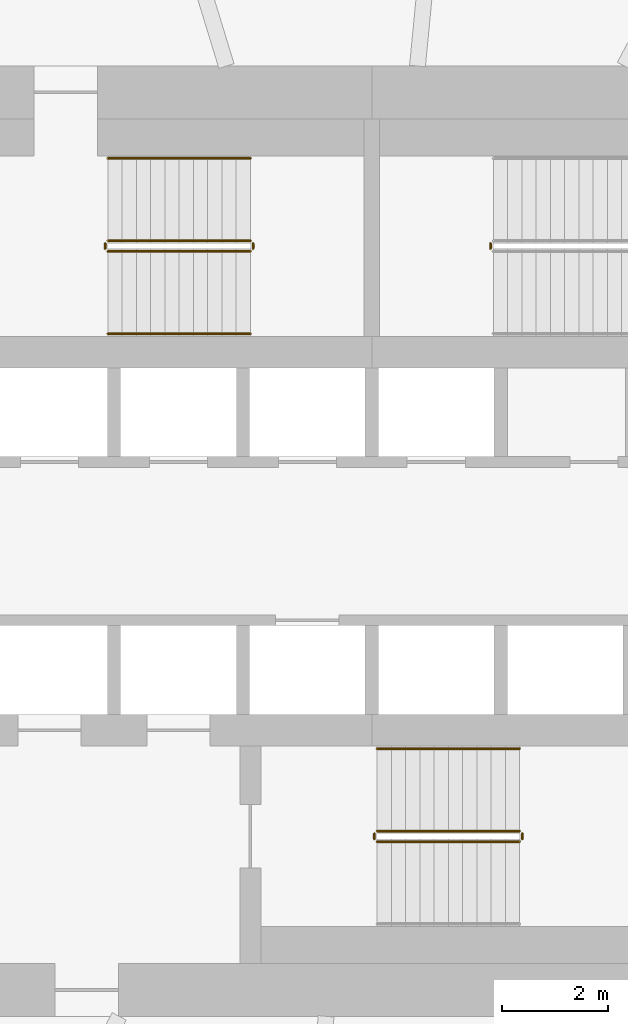
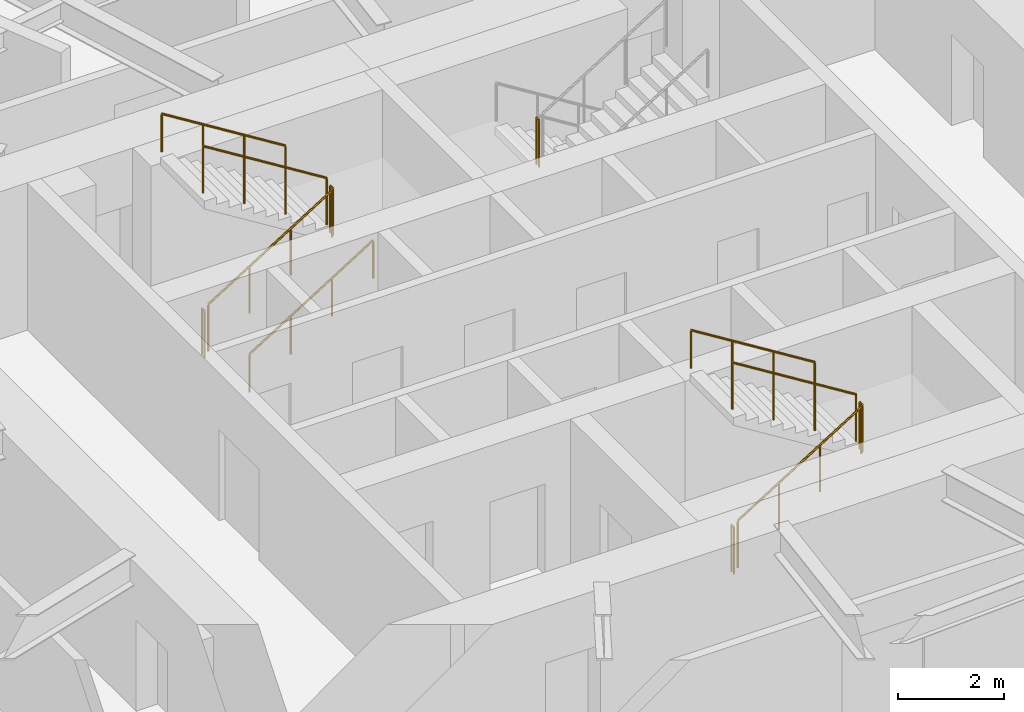
# One storey, part 13 of 17: 12 railings.
"""IFC4 building model written with IfcOpenShell, lengths in metres."""

from ifc_helpers import new_model, si_unit, direction, frame, origin, origin_2d, place, context, subcontext, project, spatial, circle, extrude, material, type_object, element, save


model = new_model("IFC4")

# Units and contexts
model_context = context("Model", 3, precision=1e-05, world=origin(), true_north=direction((0.0, 1.0)))
body_context = subcontext(model_context, "Body", "Model", "MODEL_VIEW")
ifc_project = project(units=[si_unit("LENGTHUNIT", "METRE"), si_unit("AREAUNIT", "SQUARE_METRE"), si_unit("VOLUMEUNIT", "CUBIC_METRE"), si_unit("PLANEANGLEUNIT", "RADIAN"), si_unit("MASSUNIT", "GRAM", prefix="KILO")], contexts=[model_context])

# Site, building, storey
site_placement = place(None, origin())
site = spatial("IfcSite", under=ifc_project, at=site_placement, CompositionType="ELEMENT")
building_placement = place(site_placement, origin())
building = spatial("IfcBuilding", under=site, at=building_placement, Name="Vermilion Reach Broadcast Tower", CompositionType="ELEMENT")
storey_placement = place(building_placement, frame((0.0, 0.0, 54.5)))
storey = spatial("IfcBuildingStorey", under=building, at=storey_placement, Name="L10", CompositionType="ELEMENT", Elevation=54.5)

# Railings
ifc_material_1 = material(Name="Stainless steel", Category="steel")
railing_type_1 = type_object("IfcRailingType", Name="Stair guard 1100", PredefinedType="GUARDRAIL", material=ifc_material_1)
railing_1_placement = place(storey_placement, frame((-11.0, 5.489990234375, 0.168212890625)))
element("IfcRailing", 1, at=railing_1_placement, inside=storey, type_object=railing_type_1, Name="L10 ST1 stair guard 1", PredefinedType="GUARDRAIL", context=body_context, shape_type="SweptSolid", body=[
    extrude(circle(Radius=0.02392578125, at=origin_2d()), frame((0.0, 0.0, 1.076171875), z_axis=(0.848786430784, 0.0, 0.528735846068), x_axis=(0.0, 1.0, 0.0)), (0.0, 0.0, 1.0), 3.180908203125),
    extrude(circle(Radius=0.02099609375, at=origin_2d()), origin(), (0.0, 0.0, 1.0), 1.052001953125),
    extrude(circle(Radius=0.02099609375, at=origin_2d()), frame((0.89990234375, 0.0, 0.560546875)), (0.0, 0.0, 1.0), 1.052001953125),
    extrude(circle(Radius=0.02099609375, at=origin_2d()), frame((1.800048828125, 0.0, 1.121337890625)), (0.0, 0.0, 1.0), 1.052001953125),
    extrude(circle(Radius=0.02099609375, at=origin_2d()), frame((2.699951171875, 0.0, 1.681884765625)), (0.0, 0.0, 1.0), 1.052001953125),
])
railing_2_placement = place(storey_placement, frame((-8.25, 5.5400390625, 1.85009765625)))
element("IfcRailing", 2, at=railing_2_placement, inside=storey, type_object=railing_type_1, Name="L10 ST1 stair guard 2", PredefinedType="GUARDRAIL", context=body_context, shape_type="SweptSolid", body=[
    extrude(circle(Radius=0.02392578125, at=origin_2d()), frame((0.0, 0.0, 1.076171875), z_axis=(0.0, 1.0, 0.0), x_axis=(-1.0, 0.0, 0.0)), (0.0, 0.0, 1.0), 0.099853515625),
    extrude(circle(Radius=0.02099609375, at=origin_2d()), origin(), (0.0, 0.0, 1.0), 1.052001953125),
    extrude(circle(Radius=0.02099609375, at=origin_2d()), frame((0.0, 0.099853515625, 0.0)), (0.0, 0.0, 1.0), 1.052001953125),
])
railing_3_placement = place(storey_placement, frame((-8.300048828125, 5.68994140625, 2.01806640625)))
element("IfcRailing", 3, at=railing_3_placement, inside=storey, type_object=railing_type_1, Name="L10 ST1 stair guard 3", PredefinedType="GUARDRAIL", context=body_context, shape_type="SweptSolid", body=[
    extrude(circle(Radius=0.02392578125, at=origin_2d()), frame((0.0, 0.0, 1.076171875), z_axis=(-0.848786430784, 0.0, 0.528735846068), x_axis=(0.0, -1.0, 0.0)), (0.0, 0.0, 1.0), 3.180908203125),
    extrude(circle(Radius=0.02099609375, at=origin_2d()), origin(), (0.0, 0.0, 1.0), 1.052001953125),
    extrude(circle(Radius=0.02099609375, at=origin_2d()), frame((-0.89990234375, 0.0, 0.560546875)), (0.0, 0.0, 1.0), 1.052001953125),
    extrude(circle(Radius=0.02099609375, at=origin_2d()), frame((-1.800048828125, 0.0, 1.121337890625)), (0.0, 0.0, 1.0), 1.052001953125),
    extrude(circle(Radius=0.02099609375, at=origin_2d()), frame((-2.699951171875, 0.0, 1.681884765625)), (0.0, 0.0, 1.0), 1.052001953125),
])
railing_4_placement = place(storey_placement, frame((-11.050048828125, 5.5400390625, 0.0)))
element("IfcRailing", 4, at=railing_4_placement, inside=storey, type_object=railing_type_1, Name="L10 ST1 stair guard 4", PredefinedType="GUARDRAIL", context=body_context, shape_type="SweptSolid", body=[
    extrude(circle(Radius=0.02392578125, at=origin_2d()), frame((0.0, 0.0, 1.076171875), z_axis=(0.0, 1.0, 0.0), x_axis=(-1.0, 0.0, 0.0)), (0.0, 0.0, 1.0), 0.099853515625),
    extrude(circle(Radius=0.02099609375, at=origin_2d()), origin(), (0.0, 0.0, 1.0), 1.052001953125),
    extrude(circle(Radius=0.02099609375, at=origin_2d()), frame((0.0, 0.099853515625, 0.0)), (0.0, 0.0, 1.0), 1.052001953125),
])
railing_5_placement = place(storey_placement, frame((-3.75, 5.639892578125, 1.85009765625)))
element("IfcRailing", 5, at=railing_5_placement, inside=storey, type_object=railing_type_1, Name="L10 ST2 stair guard 2", PredefinedType="GUARDRAIL", context=body_context, shape_type="SweptSolid", body=[
    extrude(circle(Radius=0.02392578125, at=origin_2d()), frame((0.0, 0.0, 1.076171875), z_axis=(0.0, -1.0, 0.0), x_axis=(1.0, 0.0, 0.0)), (0.0, 0.0, 1.0), 0.099853515625),
    extrude(circle(Radius=0.02099609375, at=origin_2d()), origin(), (0.0, 0.0, 1.0), 1.052001953125),
    extrude(circle(Radius=0.02099609375, at=origin_2d()), frame((0.0, -0.099853515625, 0.0)), (0.0, 0.0, 1.0), 1.052001953125),
])
railing_6_placement = place(storey_placement, frame((-5.89990234375, -5.68994140625, 0.168212890625)))
element("IfcRailing", 6, at=railing_6_placement, inside=storey, type_object=railing_type_1, Name="L10 ST3 stair guard 1", PredefinedType="GUARDRAIL", context=body_context, shape_type="SweptSolid", body=[
    extrude(circle(Radius=0.02392578125, at=origin_2d()), frame((0.0, 0.0, 1.076171875), z_axis=(0.848786430784, 0.0, 0.528735846068), x_axis=(0.0, 1.0, 0.0)), (0.0, 0.0, 1.0), 3.180908203125),
    extrude(circle(Radius=0.02099609375, at=origin_2d()), origin(), (0.0, 0.0, 1.0), 1.052001953125),
    extrude(circle(Radius=0.02099609375, at=origin_2d()), frame((0.89990234375, 0.0, 0.560546875)), (0.0, 0.0, 1.0), 1.052001953125),
    extrude(circle(Radius=0.02099609375, at=origin_2d()), frame((1.800048828125, 0.0, 1.121337890625)), (0.0, 0.0, 1.0), 1.052001953125),
    extrude(circle(Radius=0.02099609375, at=origin_2d()), frame((2.699951171875, 0.0, 1.681884765625)), (0.0, 0.0, 1.0), 1.052001953125),
])
railing_7_placement = place(storey_placement, frame((-3.14990234375, -5.639892578125, 1.85009765625)))
element("IfcRailing", 7, at=railing_7_placement, inside=storey, type_object=railing_type_1, Name="L10 ST3 stair guard 2", PredefinedType="GUARDRAIL", context=body_context, shape_type="SweptSolid", body=[
    extrude(circle(Radius=0.02392578125, at=origin_2d()), frame((0.0, 0.0, 1.076171875), z_axis=(0.0, 1.0, 0.0), x_axis=(-1.0, 0.0, 0.0)), (0.0, 0.0, 1.0), 0.099853515625),
    extrude(circle(Radius=0.02099609375, at=origin_2d()), origin(), (0.0, 0.0, 1.0), 1.052001953125),
    extrude(circle(Radius=0.02099609375, at=origin_2d()), frame((0.0, 0.099853515625, 0.0)), (0.0, 0.0, 1.0), 1.052001953125),
])
railing_8_placement = place(storey_placement, frame((-3.199951171875, -5.489990234375, 2.01806640625)))
element("IfcRailing", 8, at=railing_8_placement, inside=storey, type_object=railing_type_1, Name="L10 ST3 stair guard 3", PredefinedType="GUARDRAIL", context=body_context, shape_type="SweptSolid", body=[
    extrude(circle(Radius=0.02392578125, at=origin_2d()), frame((0.0, 0.0, 1.076171875), z_axis=(-0.848786430784, 0.0, 0.528735846068), x_axis=(0.0, -1.0, 0.0)), (0.0, 0.0, 1.0), 3.180908203125),
    extrude(circle(Radius=0.02099609375, at=origin_2d()), origin(), (0.0, 0.0, 1.0), 1.052001953125),
    extrude(circle(Radius=0.02099609375, at=origin_2d()), frame((-0.89990234375, 0.0, 0.560546875)), (0.0, 0.0, 1.0), 1.052001953125),
    extrude(circle(Radius=0.02099609375, at=origin_2d()), frame((-1.800048828125, 0.0, 1.121337890625)), (0.0, 0.0, 1.0), 1.052001953125),
    extrude(circle(Radius=0.02099609375, at=origin_2d()), frame((-2.699951171875, 0.0, 1.681884765625)), (0.0, 0.0, 1.0), 1.052001953125),
])
railing_9_placement = place(storey_placement, frame((-5.949951171875, -5.639892578125, 0.0)))
element("IfcRailing", 9, at=railing_9_placement, inside=storey, type_object=railing_type_1, Name="L10 ST3 stair guard 4", PredefinedType="GUARDRAIL", context=body_context, shape_type="SweptSolid", body=[
    extrude(circle(Radius=0.02392578125, at=origin_2d()), frame((0.0, 0.0, 1.076171875), z_axis=(0.0, 1.0, 0.0), x_axis=(-1.0, 0.0, 0.0)), (0.0, 0.0, 1.0), 0.099853515625),
    extrude(circle(Radius=0.02099609375, at=origin_2d()), origin(), (0.0, 0.0, 1.0), 1.052001953125),
    extrude(circle(Radius=0.02099609375, at=origin_2d()), frame((0.0, 0.099853515625, 0.0)), (0.0, 0.0, 1.0), 1.052001953125),
])
ifc_material_2 = material(Name="Stainless steel", Category="steel")
railing_type_2 = type_object("IfcRailingType", Name="Stair handrail", PredefinedType="HANDRAIL", material=ifc_material_2)
railing_10_placement = place(storey_placement, frame((-11.0, 3.929931640625, 0.168212890625)))
element("IfcRailing", 10, at=railing_10_placement, inside=storey, type_object=railing_type_2, Name="L10 ST1 stair handrail 1", PredefinedType="HANDRAIL", context=body_context, shape_type="SweptSolid", body=[
    extrude(circle(Radius=0.02392578125, at=origin_2d()), frame((0.0, 0.0, 0.8759765625), z_axis=(0.848786430784, 0.0, 0.528735846068), x_axis=(0.0, 1.0, 0.0)), (0.0, 0.0, 1.0), 3.180908203125),
    extrude(circle(Radius=0.02099609375, at=origin_2d()), origin(), (0.0, 0.0, 1.0), 0.851806640625),
    extrude(circle(Radius=0.02099609375, at=origin_2d()), frame((0.89990234375, 0.0, 0.560546875)), (0.0, 0.0, 1.0), 0.851806640625),
    extrude(circle(Radius=0.02099609375, at=origin_2d()), frame((1.800048828125, 0.0, 1.121337890625)), (0.0, 0.0, 1.0), 0.851806640625),
    extrude(circle(Radius=0.02099609375, at=origin_2d()), frame((2.699951171875, 0.0, 1.681884765625)), (0.0, 0.0, 1.0), 0.851806640625),
])
for number, where, name in (
    (11, (-8.300048828125, 7.25, 2.01806640625), "L10 ST1 stair handrail 2"),
    (12, (-3.199951171875, -3.929931640625, 2.01806640625), "L10 ST3 stair handrail 2"),
):
    element("IfcRailing", number, at=place(storey_placement, frame(where)), inside=storey, type_object=railing_type_2, Name=name, PredefinedType="HANDRAIL", context=body_context, shape_type="SweptSolid", body=[
        extrude(circle(Radius=0.02392578125, at=origin_2d()), frame((0.0, 0.0, 0.8759765625), z_axis=(-0.848786430784, 0.0, 0.528735846068), x_axis=(0.0, -1.0, 0.0)), (0.0, 0.0, 1.0), 3.180908203125),
        extrude(circle(Radius=0.02099609375, at=origin_2d()), origin(), (0.0, 0.0, 1.0), 0.851806640625),
        extrude(circle(Radius=0.02099609375, at=origin_2d()), frame((-0.89990234375, 0.0, 0.560546875)), (0.0, 0.0, 1.0), 0.851806640625),
        extrude(circle(Radius=0.02099609375, at=origin_2d()), frame((-1.800048828125, 0.0, 1.121337890625)), (0.0, 0.0, 1.0), 0.851806640625),
        extrude(circle(Radius=0.02099609375, at=origin_2d()), frame((-2.699951171875, 0.0, 1.681884765625)), (0.0, 0.0, 1.0), 0.851806640625),
    ])

save(model, "model.ifc")
